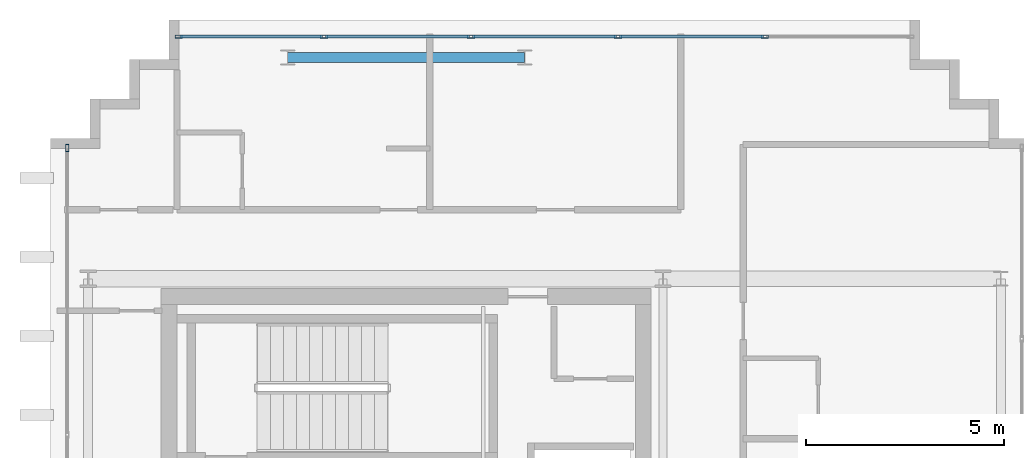
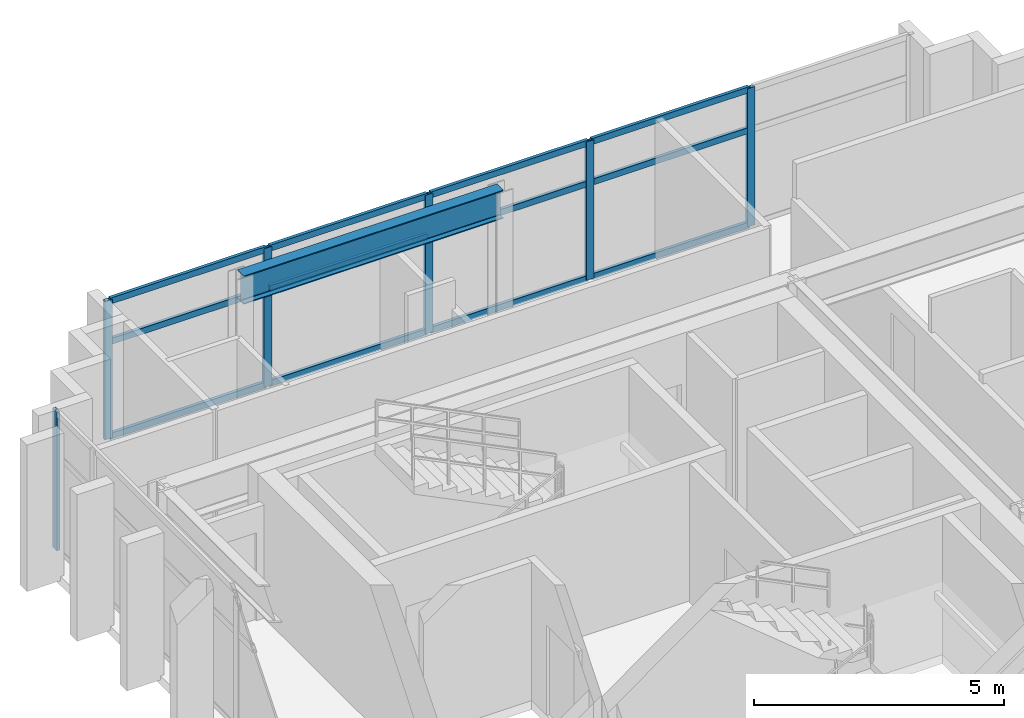
# One storey, part 9 of 15: 18 members, 1 beam, 2 elements without a shape of their own.
"""IFC4 building model written with IfcOpenShell, lengths in metres."""

from ifc_helpers import new_model, si_unit, direction, frame, origin, origin_2d, place, context, subcontext, project, spatial, hollow_rectangle, i_section, extrude, source, transform, mapped, material, layer, layer_set, material_profile, profile_set, type_object, element, aggregate, save


model = new_model("IFC4")

# Units and contexts
model_context = context("Model", 3, precision=1e-05, world=origin(), true_north=direction((0.0, 1.0)))
body_context = subcontext(model_context, "Body", "Model", "MODEL_VIEW")
ifc_project = project(units=[si_unit("LENGTHUNIT", "METRE"), si_unit("AREAUNIT", "SQUARE_METRE"), si_unit("VOLUMEUNIT", "CUBIC_METRE"), si_unit("PLANEANGLEUNIT", "RADIAN"), si_unit("MASSUNIT", "GRAM", prefix="KILO")], contexts=[model_context])

# Site, building, storey
site_placement = place(None, origin())
site = spatial("IfcSite", under=ifc_project, at=site_placement, CompositionType="ELEMENT")
building_placement = place(site_placement, origin())
building = spatial("IfcBuilding", under=site, at=building_placement, Name="Ocotamira Hotel", CompositionType="ELEMENT")
storey_placement = place(building_placement, frame((0.0, 0.0, 283.199951171875)))
storey = spatial("IfcBuildingStorey", under=building, at=storey_placement, Name="L72", CompositionType="ELEMENT", Elevation=283.199951171875)

# Beam
ifc_material_1 = material(Name="Steel ASTM A992 Grade 50", Category="steel")
ifc_material_profile_1 = material_profile(ifc_material_1, i_section(OverallWidth=0.256103515625, OverallDepth=0.693115234375, WebThickness=0.014404296875, FlangeThickness=0.023681640625, FilletRadius=0.01611328125, at=origin_2d()), Name="W27X114")
ifc_profile_set_1 = profile_set([ifc_material_profile_1], Name="Steel ASTM A992 Grade 50")
beam_type = type_object("IfcBeamType", Name="BM-PRIM-W27X114", PredefinedType="BEAM", material=ifc_profile_set_1)
shared_shape_1 = source(origin(), body_context, "Body", "SweptSolid", [
    extrude(i_section(OverallWidth=0.256103515625, OverallDepth=0.693115234375, WebThickness=0.014404296875, FlangeThickness=0.023681640625, FilletRadius=0.01611328125, at=origin_2d()), origin(), (0.0, 0.0, 1.0), 6.0),
])
beam_placement = place(storey_placement, frame((14.0, 43.050048828125, 3.033447265625), z_axis=(1.0, 0.0, 0.0), x_axis=(0.0, 1.0, 0.0)))
element("IfcBeam", 1, at=beam_placement, inside=storey, type_object=beam_type, Name="L72 Girder Y43.05 X14-20", PredefinedType="BEAM", context=body_context, shape_type="MappedRepresentation", body=[
    mapped(shared_shape_1, transform((0.0, 0.0, 0.0), scale=1.0)),
])

# Curtain wall, members
ifc_material_2 = material(Name="Anodised pale-metal aluminium and solar glass", Category="aluminium")
ifc_layer = layer(ifc_material_2, 0.2099609375)
ifc_layer_set = layer_set([ifc_layer], Name="Anodised pale-metal aluminium and solar glass")
curtain_wall_type = type_object("IfcCurtainWallType", Name="CW-SYS7-PEAK", PredefinedType="NOTDEFINED", material=ifc_layer_set)
curtain_wall_1_placement = place(storey_placement, origin())
curtain_wall_1 = element("IfcCurtainWall", 2, at=curtain_wall_1_placement, inside=storey, type_object=curtain_wall_type, Name="L72 Curtain Wall CW-7 CW-L72-N", PredefinedType="NOTDEFINED")
ifc_material_3 = material(Name="Anodised pale-metal aluminium 6063-T6", Category="aluminium")
ifc_material_profile_2 = material_profile(ifc_material_3, hollow_rectangle(XDim=0.080078125, YDim=0.179931640625, WallThickness=0.006103515625, at=origin_2d()), Name="HSS180X80X6")
ifc_profile_set_2 = profile_set([ifc_material_profile_2], Name="Anodised pale-metal aluminium 6063-T6")
member_type_1 = type_object("IfcMemberType", Name="CWM-180X75", PredefinedType="MULLION", material=ifc_profile_set_2)
shared_shape_2 = source(origin(), body_context, "Body", "SweptSolid", [
    extrude(hollow_rectangle(XDim=0.080078125, YDim=0.179931640625, WallThickness=0.006103515625, at=origin_2d()), origin(), (0.0, 0.0, 1.0), 3.380126953125),
])
member_1_placement = place(storey_placement, frame((11.239990234375, 43.580078125, 0.0), z_axis=(0.0, 0.0, 1.0), x_axis=(0.0, 1.0, 0.0)))
member_1 = element("IfcMember", 3, at=member_1_placement, type_object=member_type_1, Name="CW-7 mullion 1", PredefinedType="MULLION", context=body_context, shape_type="MappedRepresentation", body=[
    mapped(shared_shape_2, transform((0.0, 0.0, 0.0), scale=1.0)),
])
member_2_placement = place(storey_placement, frame((14.919921875, 43.580078125, 0.0), z_axis=(0.0, 0.0, 1.0), x_axis=(0.0, 1.0, 0.0)))
member_2 = element("IfcMember", 4, at=member_2_placement, type_object=member_type_1, Name="CW-7 mullion 2", PredefinedType="MULLION", context=body_context, shape_type="MappedRepresentation", body=[
    mapped(shared_shape_2, transform((0.0, 0.0, 0.0), scale=1.0)),
])
member_3_placement = place(storey_placement, frame((18.639892578125, 43.580078125, 0.0), z_axis=(0.0, 0.0, 1.0), x_axis=(0.0, 1.0, 0.0)))
member_3 = element("IfcMember", 5, at=member_3_placement, type_object=member_type_1, Name="CW-7 mullion 3", PredefinedType="MULLION", context=body_context, shape_type="MappedRepresentation", body=[
    mapped(shared_shape_2, transform((0.0, 0.0, 0.0), scale=1.0)),
])
member_4_placement = place(storey_placement, frame((22.360107421875, 43.580078125, 0.0), z_axis=(0.0, 0.0, 1.0), x_axis=(0.0, 1.0, 0.0)))
member_4 = element("IfcMember", 6, at=member_4_placement, type_object=member_type_1, Name="CW-7 mullion 4", PredefinedType="MULLION", context=body_context, shape_type="MappedRepresentation", body=[
    mapped(shared_shape_2, transform((0.0, 0.0, 0.0), scale=1.0)),
])
member_5_placement = place(storey_placement, frame((26.080078125, 43.580078125, 0.0), z_axis=(0.0, 0.0, 1.0), x_axis=(0.0, 1.0, 0.0)))
member_5 = element("IfcMember", 7, at=member_5_placement, type_object=member_type_1, Name="CW-7 mullion 5", PredefinedType="MULLION", context=body_context, shape_type="MappedRepresentation", body=[
    mapped(shared_shape_2, transform((0.0, 0.0, 0.0), scale=1.0)),
])

# Curtain wall, member
curtain_wall_2_placement = place(storey_placement, origin())
curtain_wall_2 = element("IfcCurtainWall", 8, at=curtain_wall_2_placement, inside=storey, type_object=curtain_wall_type, Name="L72 Curtain Wall CW-7 CW-L72-W2", PredefinedType="NOTDEFINED")
member_6_placement = place(storey_placement, frame((8.419921875, 40.760009765625, 0.0), z_axis=(0.0, 0.0, 1.0), x_axis=(-1.0, 0.0, 0.0)))
member_6 = element("IfcMember", 9, at=member_6_placement, type_object=member_type_1, Name="CW-7 mullion 3", PredefinedType="MULLION", context=body_context, shape_type="MappedRepresentation", body=[
    mapped(shared_shape_2, transform((0.0, 0.0, 0.0), scale=1.0)),
])
aggregate(curtain_wall_2, [member_6])

# Member
ifc_material_profile_3 = material_profile(ifc_material_3, hollow_rectangle(XDim=0.074951171875, YDim=0.14990234375, WallThickness=0.006103515625, at=origin_2d()), Name="HSS150X75X6")
ifc_profile_set_3 = profile_set([ifc_material_profile_3], Name="Anodised pale-metal aluminium 6063-T6")
member_type_2 = type_object("IfcMemberType", Name="CWT-150X75", PredefinedType="USERDEFINED", material=ifc_profile_set_3)
shared_shape_3 = source(origin(), body_context, "Body", "SweptSolid", [
    extrude(hollow_rectangle(XDim=0.074951171875, YDim=0.14990234375, WallThickness=0.006103515625, at=origin_2d()), origin(), (0.0, 0.0, 1.0), 3.599853515625),
])
member_7_placement = place(storey_placement, frame((11.280029296875, 43.580078125, 0.03759765625), z_axis=(1.0, 0.0, 0.0), x_axis=(0.0, 1.0, 0.0)))
member_7 = element("IfcMember", 10, at=member_7_placement, type_object=member_type_2, Name="CW-7 transom 1.1", ObjectType="TRANSOM", PredefinedType="USERDEFINED", context=body_context, shape_type="MappedRepresentation", body=[
    mapped(shared_shape_3, transform((0.0, 0.0, 0.0), scale=1.0)),
])

member_8_placement = place(storey_placement, frame((11.280029296875, 43.580078125, 2.35009765625), z_axis=(1.0, 0.0, 0.0), x_axis=(0.0, 1.0, 0.0)))
member_8 = element("IfcMember", 11, at=member_8_placement, type_object=member_type_2, Name="CW-7 transom 1.2", ObjectType="TRANSOM", PredefinedType="USERDEFINED", context=body_context, shape_type="MappedRepresentation", body=[
    mapped(shared_shape_3, transform((0.0, 0.0, 0.0), scale=1.0)),
])

member_9_placement = place(storey_placement, frame((11.280029296875, 43.580078125, 3.342529296875), z_axis=(1.0, 0.0, 0.0), x_axis=(0.0, 1.0, 0.0)))
member_9 = element("IfcMember", 12, at=member_9_placement, type_object=member_type_2, Name="CW-7 transom 1.3", ObjectType="TRANSOM", PredefinedType="USERDEFINED", context=body_context, shape_type="MappedRepresentation", body=[
    mapped(shared_shape_3, transform((0.0, 0.0, 0.0), scale=1.0)),
])

shared_shape_4 = source(origin(), body_context, "Body", "SweptSolid", [
    extrude(hollow_rectangle(XDim=0.074951171875, YDim=0.14990234375, WallThickness=0.006103515625, at=origin_2d()), origin(), (0.0, 0.0, 1.0), 3.64013671875),
])
member_10_placement = place(storey_placement, frame((14.9599609375, 43.580078125, 0.03759765625), z_axis=(1.0, 0.0, 0.0), x_axis=(0.0, 1.0, 0.0)))
member_10 = element("IfcMember", 13, at=member_10_placement, type_object=member_type_2, Name="CW-7 transom 2.1", ObjectType="TRANSOM", PredefinedType="USERDEFINED", context=body_context, shape_type="MappedRepresentation", body=[
    mapped(shared_shape_4, transform((0.0, 0.0, 0.0), scale=1.0)),
])

member_11_placement = place(storey_placement, frame((14.9599609375, 43.580078125, 2.35009765625), z_axis=(1.0, 0.0, 0.0), x_axis=(0.0, 1.0, 0.0)))
member_11 = element("IfcMember", 14, at=member_11_placement, type_object=member_type_2, Name="CW-7 transom 2.2", ObjectType="TRANSOM", PredefinedType="USERDEFINED", context=body_context, shape_type="MappedRepresentation", body=[
    mapped(shared_shape_4, transform((0.0, 0.0, 0.0), scale=1.0)),
])

member_12_placement = place(storey_placement, frame((14.9599609375, 43.580078125, 3.342529296875), z_axis=(1.0, 0.0, 0.0), x_axis=(0.0, 1.0, 0.0)))
member_12 = element("IfcMember", 15, at=member_12_placement, type_object=member_type_2, Name="CW-7 transom 2.3", ObjectType="TRANSOM", PredefinedType="USERDEFINED", context=body_context, shape_type="MappedRepresentation", body=[
    mapped(shared_shape_4, transform((0.0, 0.0, 0.0), scale=1.0)),
])

member_13_placement = place(storey_placement, frame((18.679931640625, 43.580078125, 0.03759765625), z_axis=(1.0, 0.0, 0.0), x_axis=(0.0, 1.0, 0.0)))
member_13 = element("IfcMember", 16, at=member_13_placement, type_object=member_type_2, Name="CW-7 transom 3.1", ObjectType="TRANSOM", PredefinedType="USERDEFINED", context=body_context, shape_type="MappedRepresentation", body=[
    mapped(shared_shape_4, transform((0.0, 0.0, 0.0), scale=1.0)),
])

member_14_placement = place(storey_placement, frame((18.679931640625, 43.580078125, 2.35009765625), z_axis=(1.0, 0.0, 0.0), x_axis=(0.0, 1.0, 0.0)))
member_14 = element("IfcMember", 17, at=member_14_placement, type_object=member_type_2, Name="CW-7 transom 3.2", ObjectType="TRANSOM", PredefinedType="USERDEFINED", context=body_context, shape_type="MappedRepresentation", body=[
    mapped(shared_shape_4, transform((0.0, 0.0, 0.0), scale=1.0)),
])

member_15_placement = place(storey_placement, frame((18.679931640625, 43.580078125, 3.342529296875), z_axis=(1.0, 0.0, 0.0), x_axis=(0.0, 1.0, 0.0)))
member_15 = element("IfcMember", 18, at=member_15_placement, type_object=member_type_2, Name="CW-7 transom 3.3", ObjectType="TRANSOM", PredefinedType="USERDEFINED", context=body_context, shape_type="MappedRepresentation", body=[
    mapped(shared_shape_4, transform((0.0, 0.0, 0.0), scale=1.0)),
])

member_16_placement = place(storey_placement, frame((22.39990234375, 43.580078125, 0.03759765625), z_axis=(1.0, 0.0, 0.0), x_axis=(0.0, 1.0, 0.0)))
member_16 = element("IfcMember", 19, at=member_16_placement, type_object=member_type_2, Name="CW-7 transom 4.1", ObjectType="TRANSOM", PredefinedType="USERDEFINED", context=body_context, shape_type="MappedRepresentation", body=[
    mapped(shared_shape_4, transform((0.0, 0.0, 0.0), scale=1.0)),
])

member_17_placement = place(storey_placement, frame((22.39990234375, 43.580078125, 2.35009765625), z_axis=(1.0, 0.0, 0.0), x_axis=(0.0, 1.0, 0.0)))
member_17 = element("IfcMember", 20, at=member_17_placement, type_object=member_type_2, Name="CW-7 transom 4.2", ObjectType="TRANSOM", PredefinedType="USERDEFINED", context=body_context, shape_type="MappedRepresentation", body=[
    mapped(shared_shape_4, transform((0.0, 0.0, 0.0), scale=1.0)),
])

member_18_placement = place(storey_placement, frame((22.39990234375, 43.580078125, 3.342529296875), z_axis=(1.0, 0.0, 0.0), x_axis=(0.0, 1.0, 0.0)))
member_18 = element("IfcMember", 21, at=member_18_placement, type_object=member_type_2, Name="CW-7 transom 4.3", ObjectType="TRANSOM", PredefinedType="USERDEFINED", context=body_context, shape_type="MappedRepresentation", body=[
    mapped(shared_shape_4, transform((0.0, 0.0, 0.0), scale=1.0)),
])

aggregate(curtain_wall_1, [member_1, member_2, member_3, member_4, member_5, member_7, member_8, member_9, member_10, member_11, member_12, member_13, member_14, member_15, member_16, member_17, member_18])

save(model, "model.ifc")
